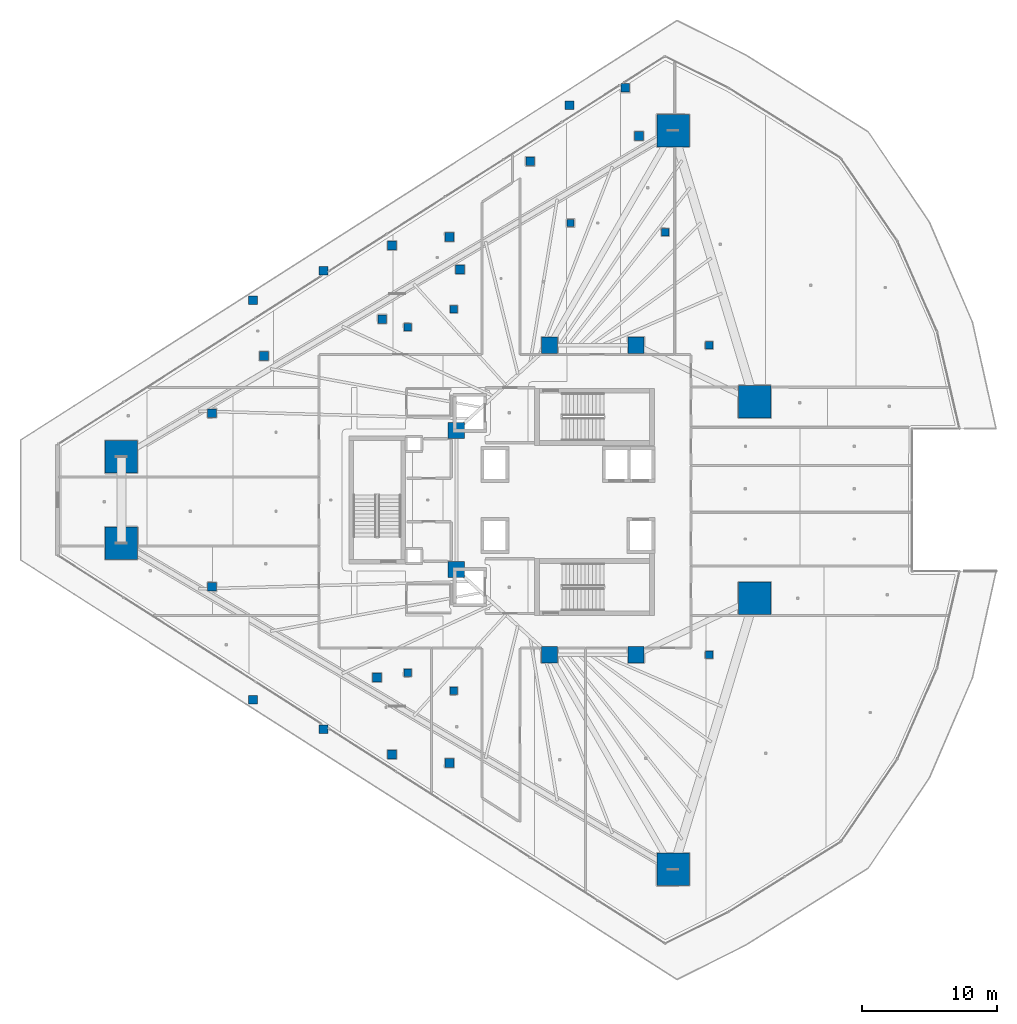
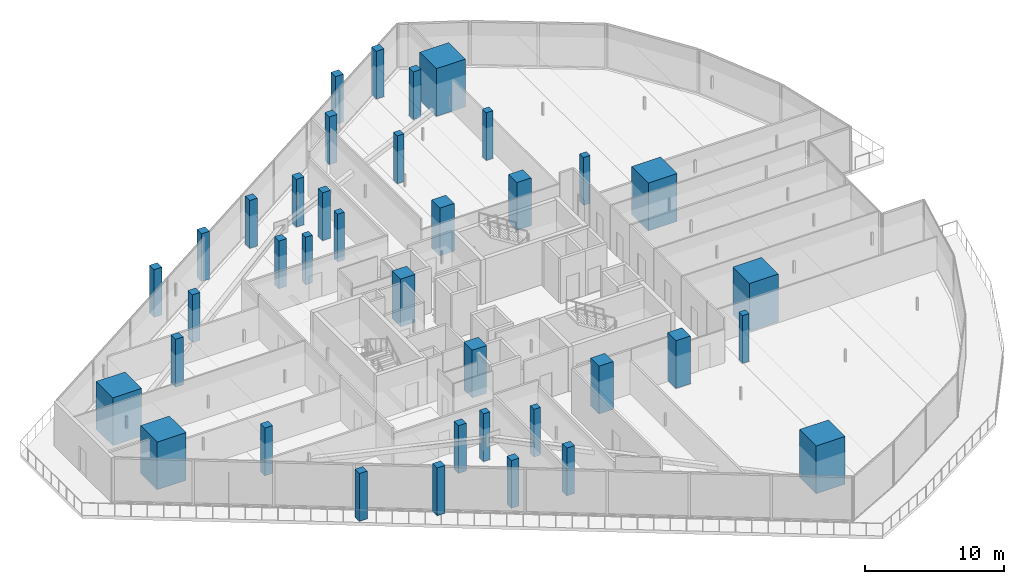
# One storey, part 1 of 52: 38 columns.
"""IFC4 building model written with IfcOpenShell, lengths in metres."""

from ifc_helpers import new_model, si_unit, direction, frame, origin, origin_2d, place, context, subcontext, project, spatial, rectangle, extrude, material, material_profile, profile_set, type_object, element, save


model = new_model("IFC4")

# Units and contexts
model_context = context("Model", 3, precision=1e-05, world=origin(), true_north=direction((0.0, 1.0)))
body_context = subcontext(model_context, "Body", "Model", "MODEL_VIEW")
ifc_project = project(units=[si_unit("LENGTHUNIT", "METRE"), si_unit("AREAUNIT", "SQUARE_METRE"), si_unit("VOLUMEUNIT", "CUBIC_METRE"), si_unit("PLANEANGLEUNIT", "RADIAN"), si_unit("MASSUNIT", "GRAM", prefix="KILO")], contexts=[model_context])

# Site, building, storey
site_placement = place(None, origin())
site = spatial("IfcSite", under=ifc_project, at=site_placement, CompositionType="ELEMENT")
building_placement = place(site_placement, origin())
building = spatial("IfcBuilding", under=site, at=building_placement, Name="Qorvath Tower", CompositionType="ELEMENT")
storey_placement = place(building_placement, frame((0.0, 0.0, 61.800048828125)))
storey = spatial("IfcBuildingStorey", under=building, at=storey_placement, Name="L13", CompositionType="ELEMENT", Elevation=61.800048828125)

# Columns
ifc_material_1 = material(Name="Concrete C70/85", Category="concrete")
ifc_material_profile_1 = material_profile(ifc_material_1, rectangle(XDim=2.39990234375, YDim=2.39990234375, at=origin_2d()), Name="MC 2400x2400")
ifc_profile_set_1 = profile_set([ifc_material_profile_1], Name="Concrete C70/85")
column_type_1 = type_object("IfcColumnType", Name="COL-MC1", PredefinedType="COLUMN", material=ifc_profile_set_1)
for number, where, z_axis, x_axis, name in (
    (1, (-55.282958984375, 3.194580078125, 0.0), (0.0, 0.0, 1.0), (1.0, 0.0, 0.0), "Composite Mega-Column MC1 L13"),
    (2, (-55.282958984375, -3.194580078125, 0.0), (0.0, 0.0, 1.0), (1.0, 0.0, 0.0), "Composite Mega-Column MC2 L13"),
    (3, (-14.46435546875, -27.330810546875, 0.0), (0.0, 0.0, 1.0), (1.0, 0.0, 0.0), "Composite Mega-Column MC3 L13"),
    (4, (-8.430419921875, -7.2763671875, 0.0), (0.0, 0.0, 1.0), (1.0, 0.0, 0.0), "Composite Mega-Column MC4 L13"),
    (5, (-8.430419921875, 7.2763671875, 0.0), (0.0, 0.0, 1.0), (1.0, 0.0, 0.0), "Composite Mega-Column MC5 L13"),
    (6, (-14.46435546875, 27.330810546875, 0.0), (0.0, 0.0, 1.0), (1.0, 0.0, 0.0), "Composite Mega-Column MC6 L13"),
):
    element("IfcColumn", number, at=place(storey_placement, frame(where, z_axis=z_axis, x_axis=x_axis)), inside=storey, type_object=column_type_1, Name=name, PredefinedType="COLUMN", context=body_context, shape_type="SweptSolid", body=[
        extrude(rectangle(XDim=2.39990234375, YDim=2.39990234375, at=origin_2d()), origin(), (0.0, 0.0, 1.0), 4.199951171875),
    ])
ifc_material_2 = material(Name="Concrete C60/75", Category="concrete")
ifc_material_profile_2 = material_profile(ifc_material_2, rectangle(XDim=1.199951171875, YDim=1.199951171875, at=origin_2d()), Name="RC 1200x1200")
ifc_profile_set_2 = profile_set([ifc_material_profile_2], Name="Concrete C60/75")
column_type_2 = type_object("IfcColumnType", Name="COL-RC1", PredefinedType="COLUMN", material=ifc_profile_set_2)
for number, where, z_axis, x_axis, name in (
    (7, (-23.60009765625, 11.449951171875, 0.0), (0.0, 0.0, 1.0), (1.0, 0.0, 0.0), "Core Spine Column CC1 L13"),
    (8, (-17.199951171875, 11.449951171875, 0.0), (0.0, 0.0, 1.0), (1.0, 0.0, 0.0), "Core Spine Column CC2 L13"),
    (9, (-17.199951171875, -11.449951171875, 0.0), (0.0, 0.0, 1.0), (1.0, 0.0, 0.0), "Core Spine Column CC3 L13"),
    (10, (-23.60009765625, -11.449951171875, 0.0), (0.0, 0.0, 1.0), (1.0, 0.0, 0.0), "Core Spine Column CC4 L13"),
    (11, (-30.5, 5.14990234375, 0.0), (0.0, 0.0, 1.0), (1.0, 0.0, 0.0), "Core Spine Column CC5 L13"),
    (12, (-30.5, -5.14990234375, 0.0), (0.0, 0.0, 1.0), (1.0, 0.0, 0.0), "Core Spine Column CC6 L13"),
):
    element("IfcColumn", number, at=place(storey_placement, frame(where, z_axis=z_axis, x_axis=x_axis)), inside=storey, type_object=column_type_2, Name=name, PredefinedType="COLUMN", context=body_context, shape_type="SweptSolid", body=[
        extrude(rectangle(XDim=1.199951171875, YDim=1.199951171875, at=origin_2d()), origin(), (0.0, 0.0, 1.0), 4.199951171875),
    ])
ifc_material_3 = material(Name="Concrete C45/55", Category="concrete")
ifc_material_profile_3 = material_profile(ifc_material_3, rectangle(XDim=0.64990234375, YDim=0.64990234375, at=origin_2d()), Name="RC 650x650")
ifc_profile_set_3 = profile_set([ifc_material_profile_3], Name="Concrete C45/55")
column_type_3 = type_object("IfcColumnType", Name="COL-RC6", PredefinedType="COLUMN", material=ifc_profile_set_3)
for number, where, z_axis, x_axis, name in (
    (13, (-45.536376953125, 14.774658203125, 0.0), (0.0, 0.0, 1.0), (1.0, 0.0, 0.0), "Loggia Frame Pier Column LGA1 L13"),
    (14, (-45.536376953125, -14.774658203125, 0.0), (0.0, 0.0, 1.0), (1.0, 0.0, 0.0), "Loggia Frame Pier Column LGA2 L13"),
    (15, (-22.13134765625, 29.20556640625, 0.0), (0.0, 0.0, 1.0), (1.0, 0.0, 0.0), "Loggia Frame Pier Column LGA3 L13"),
    (16, (-40.33251953125, 16.955810546875, 0.0), (0.0, 0.0, 1.0), (1.0, 0.0, 0.0), "Loggia Frame Pier Column LGB1 L13"),
    (17, (-40.33251953125, -16.955810546875, 0.0), (0.0, 0.0, 1.0), (1.0, 0.0, 0.0), "Loggia Frame Pier Column LGB2 L13"),
    (18, (-18.0, 30.5, 0.0), (0.0, 0.0, 1.0), (1.0, 0.0, 0.0), "Loggia Frame Pier Column LGB3 L13"),
    (19, (-35.251708984375, 18.829345703125, 0.0), (0.0, 0.0, 1.0), (1.0, 0.0, 0.0), "Loggia Frame Pier Column LGC1 L13"),
    (20, (-35.251708984375, -18.829345703125, 0.0), (0.0, 0.0, 1.0), (1.0, 0.0, 0.0), "Loggia Frame Pier Column LGC2 L13"),
    (21, (-25.03759765625, 25.058837890625, 0.0), (0.0, 0.0, 1.0), (1.0, 0.0, 0.0), "Loggia Frame Pier Column LGC3 L13"),
    (22, (-31.01611328125, 19.46044921875, 0.0), (0.0, 0.0, 1.0), (1.0, 0.0, 0.0), "Loggia Frame Pier Column LGD1 L13"),
    (23, (-31.01611328125, -19.46044921875, 0.0), (0.0, 0.0, 1.0), (1.0, 0.0, 0.0), "Loggia Frame Pier Column LGD2 L13"),
    (24, (-44.736328125, 10.65234375, 0.0), (0.0, 0.0, 1.0), (1.0, 0.0, 0.0), "Loggia Frame Pier Column LGD3 L13"),
    (25, (-48.578369140625, 6.424560546875, 0.0), (0.0, 0.0, 1.0), (1.0, 0.0, 0.0), "Loggia Frame Pier Column LGE1 L13"),
    (26, (-48.578369140625, -6.424560546875, 0.0), (0.0, 0.0, 1.0), (1.0, 0.0, 0.0), "Loggia Frame Pier Column LGE2 L13"),
    (27, (-16.981201171875, 26.92919921875, 0.0), (0.0, 0.0, 1.0), (1.0, 0.0, 0.0), "Loggia Frame Pier Column LGE3 L13"),
    (28, (-35.980712890625, 13.380859375, 0.0), (0.0, 0.0, 1.0), (1.0, 0.0, 0.0), "Loggia Frame Pier Column LGF1 L13"),
    (29, (-36.36474609375, -13.135498046875, 0.0), (0.0, 0.0, 1.0), (1.0, 0.0, 0.0), "Loggia Frame Pier Column LGF2 L13"),
    (30, (-30.224853515625, 17.0595703125, 0.0), (0.0, 0.0, 1.0), (1.0, 0.0, 0.0), "Loggia Frame Pier Column LGF3 L13"),
):
    element("IfcColumn", number, at=place(storey_placement, frame(where, z_axis=z_axis, x_axis=x_axis)), inside=storey, type_object=column_type_3, Name=name, PredefinedType="COLUMN", context=body_context, shape_type="SweptSolid", body=[
        extrude(rectangle(XDim=0.64990234375, YDim=0.64990234375, at=origin_2d()), origin(), (0.0, 0.0, 1.0), 4.199951171875),
    ])
ifc_material_4 = material(Name="Concrete C45/55", Category="concrete")
ifc_material_profile_4 = material_profile(ifc_material_4, rectangle(XDim=0.550048828125, YDim=0.550048828125, at=origin_2d()), Name="RC 550x550")
ifc_profile_set_4 = profile_set([ifc_material_profile_4], Name="Concrete C45/55")
column_type_4 = type_object("IfcColumnType", Name="COL-RC7", PredefinedType="COLUMN", material=ifc_profile_set_4)
for number, where, z_axis, x_axis, name in (
    (31, (-34.104248046875, 12.79248046875, 0.0), (0.0, 0.0, 1.0), (1.0, 0.0, 0.0), "Loggia Frame Pier Column LGG1 L13"),
    (32, (-34.104248046875, -12.79248046875, 0.0), (0.0, 0.0, 1.0), (1.0, 0.0, 0.0), "Loggia Frame Pier Column LGG2 L13"),
    (33, (-22.05322265625, 20.494873046875, 0.0), (0.0, 0.0, 1.0), (1.0, 0.0, 0.0), "Loggia Frame Pier Column LGG3 L13"),
    (34, (-30.67724609375, 14.124267578125, 0.0), (0.0, 0.0, 1.0), (1.0, 0.0, 0.0), "Loggia Frame Pier Column LGH1 L13"),
    (35, (-30.67724609375, -14.124267578125, 0.0), (0.0, 0.0, 1.0), (1.0, 0.0, 0.0), "Loggia Frame Pier Column LGH2 L13"),
    (36, (-15.046142578125, 19.818115234375, 0.0), (0.0, 0.0, 1.0), (1.0, 0.0, 0.0), "Loggia Frame Pier Column LGH3 L13"),
    (37, (-11.800048828125, -11.449951171875, 0.0), (0.0, 0.0, 1.0), (1.0, 0.0, 0.0), "Central Slot Jamb Column SC1 L13"),
    (38, (-11.800048828125, 11.449951171875, 0.0), (0.0, 0.0, 1.0), (1.0, 0.0, 0.0), "Central Slot Jamb Column SC2 L13"),
):
    element("IfcColumn", number, at=place(storey_placement, frame(where, z_axis=z_axis, x_axis=x_axis)), inside=storey, type_object=column_type_4, Name=name, PredefinedType="COLUMN", context=body_context, shape_type="SweptSolid", body=[
        extrude(rectangle(XDim=0.550048828125, YDim=0.550048828125, at=origin_2d()), origin(), (0.0, 0.0, 1.0), 4.199951171875),
    ])

save(model, "model.ifc")
